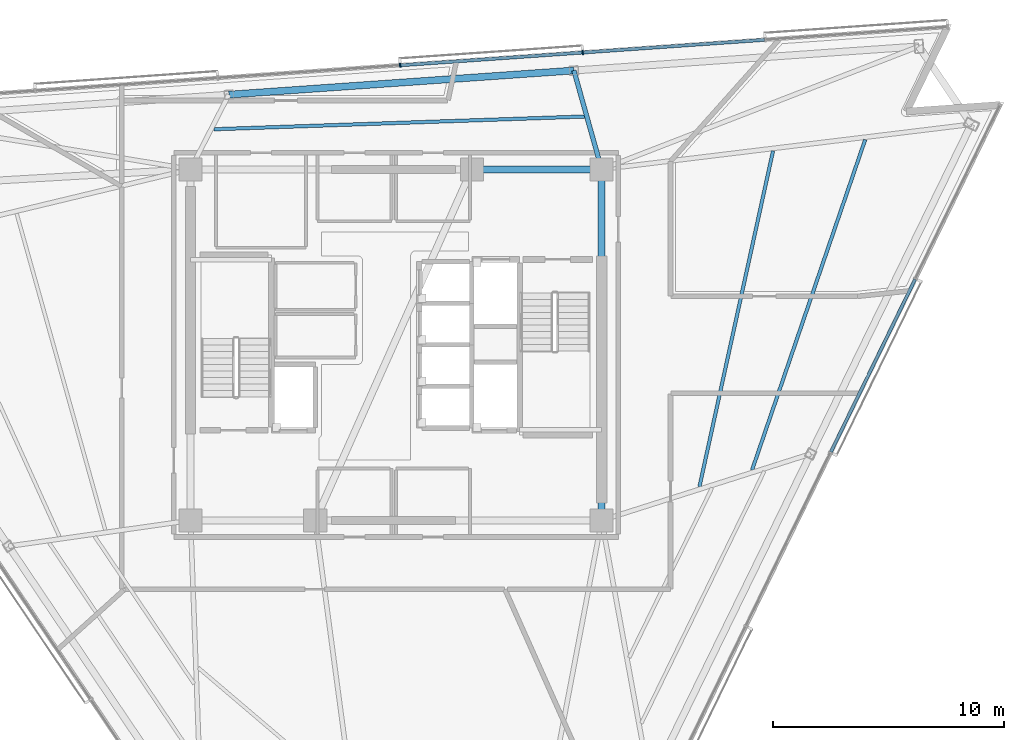
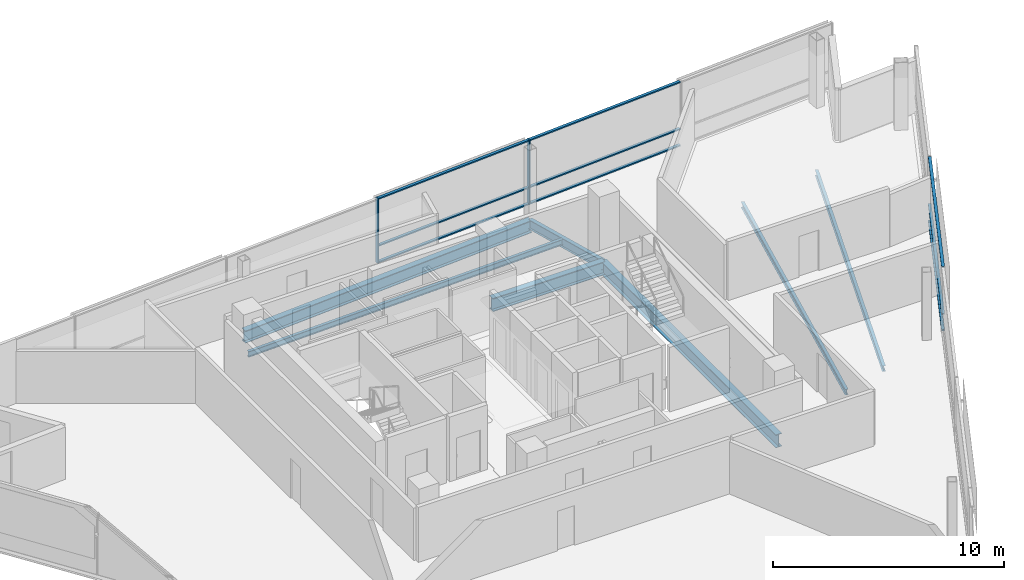
# One storey, part 6 of 16: 11 members, 7 beams, 2 elements without a shape of their own.
"""IFC4 building model written with IfcOpenShell, lengths in metres."""

from ifc_helpers import new_model, si_unit, direction, frame, origin, origin_2d, place, context, subcontext, project, spatial, rectangle, i_section, extrude, material, layer, layer_set, material_profile, profile_set, type_object, element, aggregate, save


model = new_model("IFC4")

# Units and contexts
model_context = context("Model", 3, precision=1e-05, world=origin(), true_north=direction((0.0, 1.0)))
body_context = subcontext(model_context, "Body", "Model", "MODEL_VIEW")
ifc_project = project(units=[si_unit("LENGTHUNIT", "METRE"), si_unit("AREAUNIT", "SQUARE_METRE"), si_unit("VOLUMEUNIT", "CUBIC_METRE"), si_unit("PLANEANGLEUNIT", "RADIAN"), si_unit("MASSUNIT", "GRAM", prefix="KILO")], contexts=[model_context])

# Site, building, storey
site_placement = place(None, origin())
site = spatial("IfcSite", under=ifc_project, at=site_placement, CompositionType="ELEMENT")
building_placement = place(site_placement, origin())
building = spatial("IfcBuilding", under=site, at=building_placement, Name="Tharavind Bronze Gate", CompositionType="ELEMENT")
storey_placement = place(building_placement, frame((0.0, 0.0, 271.39990234375)))
storey = spatial("IfcBuildingStorey", under=building, at=storey_placement, Name="L70", CompositionType="ELEMENT", Elevation=271.39990234375)

# Curtain wall, members
ifc_material_1 = material(Name="Anodised Bronze Aluminium", Category="aluminium")
ifc_layer = layer(ifc_material_1, 0.219970703125)
ifc_layer_set = layer_set([ifc_layer], Name="Anodised Bronze Aluminium")
curtain_wall_type = type_object("IfcCurtainWallType", Name="UNITISED CURTAIN WALL UPPER OFFICE", PredefinedType="USERDEFINED", material=ifc_layer_set)
curtain_wall_1_placement = place(storey_placement, origin())
curtain_wall_1 = element("IfcCurtainWall", 1, at=curtain_wall_1_placement, inside=storey, type_object=curtain_wall_type, Name="L70 unitised curtain wall upper office CW-L70-S3", ObjectType="UNITISED CURTAIN WALL", PredefinedType="USERDEFINED")
member_type_1 = type_object("IfcMemberType", Name="CURTAIN WALL BRONZE MULLION 65X180", PredefinedType="MULLION", material=ifc_material_1)
member_1_placement = place(storey_placement, frame((8.078369140625, 12.656005859375, 0.000244140625), z_axis=(0.0, 0.0, 1.0), x_axis=(-0.997563806758, -0.069759955899, 0.0)))
member_1 = element("IfcMember", 2, at=member_1_placement, type_object=member_type_1, Name="CW-L70-S3 mullion 3", PredefinedType="MULLION", context=body_context, shape_type="SweptSolid", body=[
    extrude(rectangle(XDim=0.06494140625, YDim=0.179931640625, at=origin_2d()), origin(), (0.0, 0.0, 1.0), 3.419921875),
])
member_2_placement = place(storey_placement, frame((0.177490234375, 12.103515625, 0.000244140625), z_axis=(0.0, 0.0, 1.0), x_axis=(-0.997563806758, -0.069759955899, 0.0)))
member_2 = element("IfcMember", 3, at=member_2_placement, type_object=member_type_1, Name="CW-L70-S3 mullion 4", PredefinedType="MULLION", context=body_context, shape_type="SweptSolid", body=[
    extrude(rectangle(XDim=0.06494140625, YDim=0.179931640625, at=origin_2d()), origin(), (0.0, 0.0, 1.0), 3.419921875),
])

curtain_wall_2_placement = place(storey_placement, origin())
curtain_wall_2 = element("IfcCurtainWall", 4, at=curtain_wall_2_placement, inside=storey, type_object=curtain_wall_type, Name="L70 unitised curtain wall upper office CW-L70-S2", ObjectType="UNITISED CURTAIN WALL", PredefinedType="USERDEFINED")
member_type_2 = type_object("IfcMemberType", Name="CURTAIN WALL BRONZE TRANSOM 65X140", PredefinedType="USERDEFINED", material=ifc_material_1)
member_3_placement = place(storey_placement, frame((20.64990234375, -0.89892578125, 0.000244140625), z_axis=(0.0, 0.0, 1.0), x_axis=(0.43837271548, 0.898793281196, 0.0)))
member_3 = element("IfcMember", 5, at=member_3_placement, type_object=member_type_2, Name="CW-L70-S2 transom TB5", ObjectType="TRANSOM", PredefinedType="USERDEFINED", context=body_context, shape_type="SweptSolid", body=[
    extrude(rectangle(XDim=8.3193359375, YDim=0.139892578125, at=origin_2d()), origin(), (0.0, 0.0, 1.0), 0.06494140625),
])
member_4_placement = place(storey_placement, frame((20.64990234375, -0.89892578125, 0.86767578125), z_axis=(0.0, 0.0, 1.0), x_axis=(0.43837271548, 0.898793281196, 0.0)))
member_4 = element("IfcMember", 6, at=member_4_placement, type_object=member_type_2, Name="CW-L70-S2 transom TS5", ObjectType="TRANSOM", PredefinedType="USERDEFINED", context=body_context, shape_type="SweptSolid", body=[
    extrude(rectangle(XDim=8.3193359375, YDim=0.139892578125, at=origin_2d()), origin(), (0.0, 0.0, 1.0), 0.06494140625),
])
member_5_placement = place(storey_placement, frame((20.64990234375, -0.89892578125, 3.355224609375), z_axis=(0.0, 0.0, 1.0), x_axis=(0.43837271548, 0.898793281196, 0.0)))
member_5 = element("IfcMember", 7, at=member_5_placement, type_object=member_type_2, Name="CW-L70-S2 transom TT5", ObjectType="TRANSOM", PredefinedType="USERDEFINED", context=body_context, shape_type="SweptSolid", body=[
    extrude(rectangle(XDim=8.3193359375, YDim=0.139892578125, at=origin_2d()), origin(), (0.0, 0.0, 1.0), 0.06494140625),
])
aggregate(curtain_wall_2, [member_3, member_4, member_5])

# Member
member_6_placement = place(storey_placement, frame((12.02880859375, 12.932373046875, 0.000244140625), z_axis=(0.0, 0.0, 1.0), x_axis=(-0.997563806758, -0.069759955899, 0.0)))
member_6 = element("IfcMember", 8, at=member_6_placement, type_object=member_type_2, Name="CW-L70-S3 transom TB2", ObjectType="TRANSOM", PredefinedType="USERDEFINED", context=body_context, shape_type="SweptSolid", body=[
    extrude(rectangle(XDim=7.8671875, YDim=0.139892578125, at=origin_2d()), origin(), (0.0, 0.0, 1.0), 0.06494140625),
])

member_7_placement = place(storey_placement, frame((12.02880859375, 12.932373046875, 0.86767578125), z_axis=(0.0, 0.0, 1.0), x_axis=(-0.997563806758, -0.069759955899, 0.0)))
member_7 = element("IfcMember", 9, at=member_7_placement, type_object=member_type_2, Name="CW-L70-S3 transom TS2", ObjectType="TRANSOM", PredefinedType="USERDEFINED", context=body_context, shape_type="SweptSolid", body=[
    extrude(rectangle(XDim=7.8671875, YDim=0.139892578125, at=origin_2d()), origin(), (0.0, 0.0, 1.0), 0.06494140625),
])

member_8_placement = place(storey_placement, frame((12.02880859375, 12.932373046875, 3.355224609375), z_axis=(0.0, 0.0, 1.0), x_axis=(-0.997563806758, -0.069759955899, 0.0)))
member_8 = element("IfcMember", 10, at=member_8_placement, type_object=member_type_2, Name="CW-L70-S3 transom TT2", ObjectType="TRANSOM", PredefinedType="USERDEFINED", context=body_context, shape_type="SweptSolid", body=[
    extrude(rectangle(XDim=7.8671875, YDim=0.139892578125, at=origin_2d()), origin(), (0.0, 0.0, 1.0), 0.06494140625),
])

member_9_placement = place(storey_placement, frame((4.1279296875, 12.3798828125, 0.000244140625), z_axis=(0.0, 0.0, 1.0), x_axis=(-0.997563806758, -0.069759955899, 0.0)))
member_9 = element("IfcMember", 11, at=member_9_placement, type_object=member_type_2, Name="CW-L70-S3 transom TB3", ObjectType="TRANSOM", PredefinedType="USERDEFINED", context=body_context, shape_type="SweptSolid", body=[
    extrude(rectangle(XDim=7.8671875, YDim=0.139892578125, at=origin_2d()), origin(), (0.0, 0.0, 1.0), 0.06494140625),
])

member_10_placement = place(storey_placement, frame((4.1279296875, 12.3798828125, 0.86767578125), z_axis=(0.0, 0.0, 1.0), x_axis=(-0.997563806758, -0.069759955899, 0.0)))
member_10 = element("IfcMember", 12, at=member_10_placement, type_object=member_type_2, Name="CW-L70-S3 transom TS3", ObjectType="TRANSOM", PredefinedType="USERDEFINED", context=body_context, shape_type="SweptSolid", body=[
    extrude(rectangle(XDim=7.8671875, YDim=0.139892578125, at=origin_2d()), origin(), (0.0, 0.0, 1.0), 0.06494140625),
])

member_11_placement = place(storey_placement, frame((4.1279296875, 12.3798828125, 3.355224609375), z_axis=(0.0, 0.0, 1.0), x_axis=(-0.997563806758, -0.069759955899, 0.0)))
member_11 = element("IfcMember", 13, at=member_11_placement, type_object=member_type_2, Name="CW-L70-S3 transom TT3", ObjectType="TRANSOM", PredefinedType="USERDEFINED", context=body_context, shape_type="SweptSolid", body=[
    extrude(rectangle(XDim=7.8671875, YDim=0.139892578125, at=origin_2d()), origin(), (0.0, 0.0, 1.0), 0.06494140625),
])

aggregate(curtain_wall_1, [member_1, member_2, member_6, member_7, member_8, member_9, member_10, member_11])

# Beams
ifc_material_2 = material(Name="Steel S355", Category="steel")
ifc_material_profile_1 = material_profile(ifc_material_2, i_section(OverallWidth=0.300048828125, OverallDepth=0.64990234375, WebThickness=0.01611328125, FlangeThickness=0.031005859375, at=origin_2d()), Name="HE650B")
ifc_profile_set_1 = profile_set([ifc_material_profile_1], Name="Steel S355")
beam_type_1 = type_object("IfcBeamType", Name="PRIMARY GIRDER HE650B", PredefinedType="USERDEFINED", material=ifc_profile_set_1)
beam_1_placement = place(storey_placement, frame((7.69873046875, 11.877685546875, -0.5048828125), z_axis=(-0.997563609873, -0.069762771286, 0.0), x_axis=(0.069762771286, -0.997563609873, 0.0)))
element("IfcBeam", 14, at=beam_1_placement, inside=storey, type_object=beam_type_1, Name="L70 primary girder he650b BM-L70-PRG10", ObjectType="GIRDER", PredefinedType="USERDEFINED", context=body_context, shape_type="SweptSolid", body=[
    extrude(i_section(OverallWidth=0.300048828125, OverallDepth=0.64990234375, WebThickness=0.01611328125, FlangeThickness=0.031005859375, at=origin_2d()), origin(), (0.0, 0.0, 1.0), 14.974609375),
])
ifc_material_profile_2 = material_profile(ifc_material_2, i_section(OverallWidth=0.199951171875, OverallDepth=0.5, WebThickness=0.01025390625, FlangeThickness=0.01611328125, at=origin_2d()), Name="IPE500")
ifc_profile_set_2 = profile_set([ifc_material_profile_2], Name="Steel S355")
beam_type_2 = type_object("IfcBeamType", Name="PRIMARY GIRDER IPE500", PredefinedType="USERDEFINED", material=ifc_profile_set_2)
beam_2_placement = place(storey_placement, frame((7.69873046875, 11.877685546875, -0.429931640625), z_axis=(0.270349324095, -0.962762298265, 0.0), x_axis=(0.962762298265, 0.270349324095, 0.0)))
element("IfcBeam", 15, at=beam_2_placement, inside=storey, type_object=beam_type_2, Name="L70 primary girder ipe500 BM-L70-RAD10", ObjectType="GIRDER", PredefinedType="USERDEFINED", context=body_context, shape_type="SweptSolid", body=[
    extrude(i_section(OverallWidth=0.199951171875, OverallDepth=0.5, WebThickness=0.01025390625, FlangeThickness=0.01611328125, at=origin_2d()), origin(), (0.0, 0.0, 1.0), 4.443115234375),
])
ifc_material_profile_3 = material_profile(ifc_material_2, i_section(OverallWidth=0.300048828125, OverallDepth=0.699951171875, WebThickness=0.01708984375, FlangeThickness=0.031982421875, at=origin_2d()), Name="HE700B")
ifc_profile_set_3 = profile_set([ifc_material_profile_3], Name="Steel S355")
beam_type_3 = type_object("IfcBeamType", Name="RING GIRDER HE700B", PredefinedType="USERDEFINED", material=ifc_profile_set_3)
beam_3_placement = place(storey_placement, frame((8.89990234375, -7.60009765625, -0.52978515625), z_axis=(0.0, 1.0, 0.0), x_axis=(-1.0, 0.0, 0.0)))
element("IfcBeam", 16, at=beam_3_placement, inside=storey, type_object=beam_type_3, Name="L70 ring girder he700b BM-L70-CR3", ObjectType="GIRDER", PredefinedType="USERDEFINED", context=body_context, shape_type="SweptSolid", body=[
    extrude(i_section(OverallWidth=0.300048828125, OverallDepth=0.699951171875, WebThickness=0.01708984375, FlangeThickness=0.031982421875, at=origin_2d()), origin(), (0.0, 0.0, 1.0), 15.2001953125),
])
beam_4_placement = place(storey_placement, frame((8.89990234375, 7.60009765625, -0.52978515625), z_axis=(-1.0, 0.0, 0.0), x_axis=(0.0, -1.0, 0.0)))
element("IfcBeam", 17, at=beam_4_placement, inside=storey, type_object=beam_type_3, Name="L70 ring girder he700b BM-L70-CR4", ObjectType="GIRDER", PredefinedType="USERDEFINED", context=body_context, shape_type="SweptSolid", body=[
    extrude(i_section(OverallWidth=0.300048828125, OverallDepth=0.699951171875, WebThickness=0.01708984375, FlangeThickness=0.031982421875, at=origin_2d()), origin(), (0.0, 0.0, 1.0), 5.619873046875),
])
ifc_material_profile_4 = material_profile(ifc_material_2, i_section(OverallWidth=0.14990234375, OverallDepth=0.300048828125, WebThickness=0.007080078125, FlangeThickness=0.0107421875, at=origin_2d()), Name="IPE300")
ifc_profile_set_4 = profile_set([ifc_material_profile_4], Name="Steel S355")
beam_type_4 = type_object("IfcBeamType", Name="SECONDARY FLOOR JOIST IPE300", PredefinedType="JOIST", material=ifc_profile_set_4)
beam_5_placement = place(storey_placement, frame((13.13427734375, -6.14501953125, -0.329833984375), z_axis=(0.21409442117, 0.976812970237, 0.0), x_axis=(-0.976812970237, 0.21409442117, 0.0)))
element("IfcBeam", 18, at=beam_5_placement, inside=storey, type_object=beam_type_4, Name="L70 secondary floor joist ipe300 BM-L70-JSTA07", PredefinedType="JOIST", context=body_context, shape_type="SweptSolid", body=[
    extrude(i_section(OverallWidth=0.14990234375, OverallDepth=0.300048828125, WebThickness=0.007080078125, FlangeThickness=0.0107421875, at=origin_2d()), origin(), (0.0, 0.0, 1.0), 14.889404296875),
])
beam_6_placement = place(storey_placement, frame((15.4130859375, -5.420654296875, -0.329833984375), z_axis=(0.323918937062, 0.946084838803, 0.0), x_axis=(-0.946084838803, 0.323918937062, 0.0)))
element("IfcBeam", 19, at=beam_6_placement, inside=storey, type_object=beam_type_4, Name="L70 secondary floor joist ipe300 BM-L70-JSTB07", PredefinedType="JOIST", context=body_context, shape_type="SweptSolid", body=[
    extrude(i_section(OverallWidth=0.14990234375, OverallDepth=0.300048828125, WebThickness=0.007080078125, FlangeThickness=0.0107421875, at=origin_2d()), origin(), (0.0, 0.0, 1.0), 15.120849609375),
])
beam_7_placement = place(storey_placement, frame((8.150390625, 9.885009765625, -0.329833984375), z_axis=(-0.999410182426, -0.034340752228, 0.0), x_axis=(0.034340752228, -0.999410182426, 0.0)))
element("IfcBeam", 20, at=beam_7_placement, inside=storey, type_object=beam_type_4, Name="L70 secondary floor joist ipe300 BM-L70-JSTA10", PredefinedType="JOIST", context=body_context, shape_type="SweptSolid", body=[
    extrude(i_section(OverallWidth=0.14990234375, OverallDepth=0.300048828125, WebThickness=0.007080078125, FlangeThickness=0.0107421875, at=origin_2d()), origin(), (0.0, 0.0, 1.0), 16.052978515625),
])

save(model, "model.ifc")
